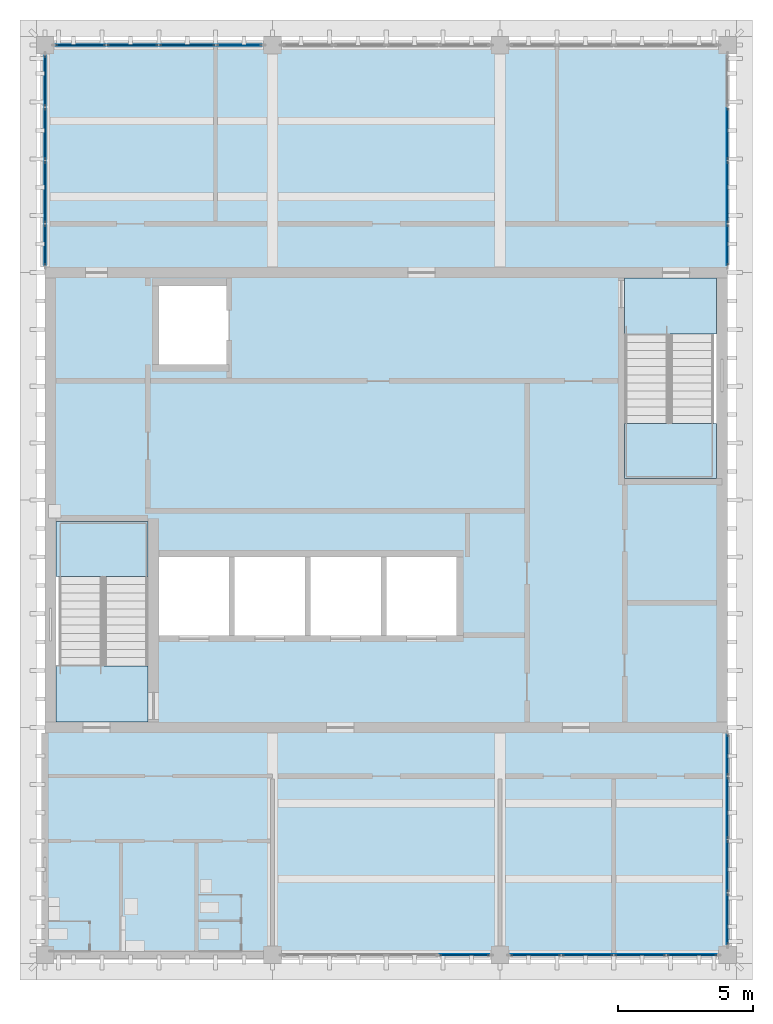
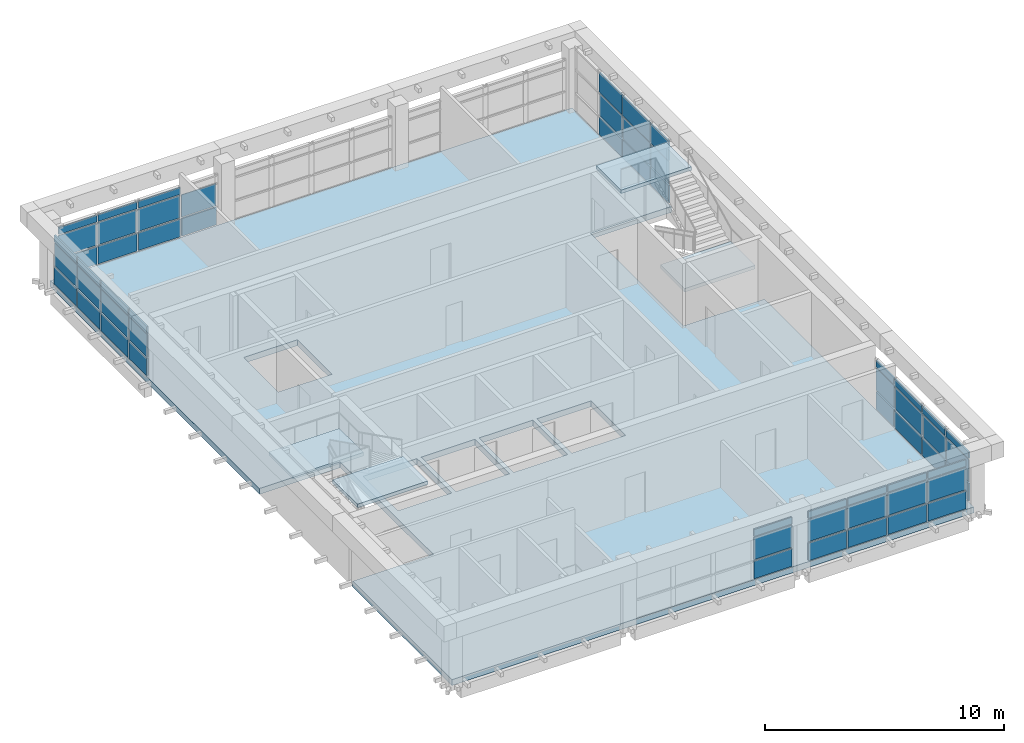
# One storey, part 4 of 10: 59 plates, 5 slabs, 8 elements without a shape of their own.
"""IFC4 building model written with IfcOpenShell, lengths in metres."""

from ifc_helpers import new_model, si_unit, direction, frame, origin, origin_2d, place, context, subcontext, project, spatial, polyline, rectangle, outline, extrude, material, layer, layer_set, type_object, element, aggregate, save


model = new_model("IFC4")

# Units and contexts
model_context = context("Model", 3, precision=1e-05, world=origin(), true_north=direction((0.0, 1.0)))
body_context = subcontext(model_context, "Body", "Model", "MODEL_VIEW")
ifc_project = project(units=[si_unit("LENGTHUNIT", "METRE"), si_unit("AREAUNIT", "SQUARE_METRE"), si_unit("VOLUMEUNIT", "CUBIC_METRE"), si_unit("PLANEANGLEUNIT", "RADIAN"), si_unit("MASSUNIT", "GRAM", prefix="KILO")], contexts=[model_context])

# Site, building, storey
site_placement = place(None, origin())
site = spatial("IfcSite", under=ifc_project, at=site_placement, CompositionType="ELEMENT")
building_placement = place(site_placement, origin())
building = spatial("IfcBuilding", under=site, at=building_placement, Name="Rulbaag Community and Learning Centre", CompositionType="ELEMENT")
storey_placement = place(building_placement, frame((0.0, 0.0, 61.199951171875)))
storey = spatial("IfcBuildingStorey", under=building, at=storey_placement, Name="L16", CompositionType="ELEMENT", Elevation=61.199951171875)

# Curtain wall, plates
ifc_material_1 = material(Name="Aluminium", Category="aluminium")
ifc_layer_1 = layer(ifc_material_1, 0.14990234375)
ifc_layer_set_1 = layer_set([ifc_layer_1], Name="CW-C")
curtain_wall_type = type_object("IfcCurtainWallType", Name="CW-C", PredefinedType="USERDEFINED", material=ifc_layer_set_1)
curtain_wall_1_placement = place(storey_placement, origin())
curtain_wall_1 = element("IfcCurtainWall", 1, at=curtain_wall_1_placement, inside=storey, type_object=curtain_wall_type, Name="GC-L16-01", ObjectType="UNITISED CURTAIN WALL", PredefinedType="USERDEFINED")
ifc_layer_2 = layer(ifc_material_1, 0.070068359375)
ifc_layer_set_2 = layer_set([ifc_layer_2], Name="CW-C-SPN")
plate_type_1 = type_object("IfcPlateType", Name="CW-C-SPN", PredefinedType="CURTAIN_PANEL", material=ifc_layer_set_2)
plate_1_placement = place(storey_placement, frame((158.288818359375, 84.0, 0.070068359375), z_axis=(0.0, 0.0, 1.0), x_axis=(1.0, 0.0, 0.0)))
plate_1 = element("IfcPlate", 2, at=plate_1_placement, type_object=plate_type_1, Name="GC spandrel panel", PredefinedType="CURTAIN_PANEL", context=body_context, shape_type="SweptSolid", body=[
    extrude(rectangle(XDim=1.83251953125, YDim=0.070068359375, at=origin_2d()), origin(), (0.0, 0.0, 1.0), 0.89501953125),
])
plate_2_placement = place(storey_placement, frame((158.288818359375, 84.0, 2.23486328125), z_axis=(0.0, 0.0, 1.0), x_axis=(1.0, 0.0, 0.0)))
plate_2 = element("IfcPlate", 3, at=plate_2_placement, type_object=plate_type_1, Name="GC spandrel panel", PredefinedType="CURTAIN_PANEL", context=body_context, shape_type="SweptSolid", body=[
    extrude(rectangle(XDim=1.83251953125, YDim=0.070068359375, at=origin_2d()), origin(), (0.0, 0.0, 1.0), 0.344970703125),
])

curtain_wall_2_placement = place(storey_placement, origin())
curtain_wall_2 = element("IfcCurtainWall", 4, at=curtain_wall_2_placement, inside=storey, type_object=curtain_wall_type, Name="GC-L16-02", ObjectType="UNITISED CURTAIN WALL", PredefinedType="USERDEFINED")
plate_3_placement = place(storey_placement, frame((160.9111328125, 84.0, 0.070068359375), z_axis=(0.0, 0.0, 1.0), x_axis=(1.0, 0.0, 0.0)))
plate_3 = element("IfcPlate", 5, at=plate_3_placement, type_object=plate_type_1, Name="GC spandrel panel", PredefinedType="CURTAIN_PANEL", context=body_context, shape_type="SweptSolid", body=[
    extrude(rectangle(XDim=1.83251953125, YDim=0.070068359375, at=origin_2d()), origin(), (0.0, 0.0, 1.0), 0.89501953125),
])
plate_4_placement = place(storey_placement, frame((160.9111328125, 84.0, 2.23486328125), z_axis=(0.0, 0.0, 1.0), x_axis=(1.0, 0.0, 0.0)))
plate_4 = element("IfcPlate", 6, at=plate_4_placement, type_object=plate_type_1, Name="GC spandrel panel", PredefinedType="CURTAIN_PANEL", context=body_context, shape_type="SweptSolid", body=[
    extrude(rectangle(XDim=1.83251953125, YDim=0.070068359375, at=origin_2d()), origin(), (0.0, 0.0, 1.0), 0.344970703125),
])
plate_5_placement = place(storey_placement, frame((162.831298828125, 84.0, 0.070068359375), z_axis=(0.0, 0.0, 1.0), x_axis=(1.0, 0.0, 0.0)))
plate_5 = element("IfcPlate", 7, at=plate_5_placement, type_object=plate_type_1, Name="GC spandrel panel", PredefinedType="CURTAIN_PANEL", context=body_context, shape_type="SweptSolid", body=[
    extrude(rectangle(XDim=1.867431640625, YDim=0.070068359375, at=origin_2d()), origin(), (0.0, 0.0, 1.0), 0.89501953125),
])
plate_6_placement = place(storey_placement, frame((162.831298828125, 84.0, 2.23486328125), z_axis=(0.0, 0.0, 1.0), x_axis=(1.0, 0.0, 0.0)))
plate_6 = element("IfcPlate", 8, at=plate_6_placement, type_object=plate_type_1, Name="GC spandrel panel", PredefinedType="CURTAIN_PANEL", context=body_context, shape_type="SweptSolid", body=[
    extrude(rectangle(XDim=1.867431640625, YDim=0.070068359375, at=origin_2d()), origin(), (0.0, 0.0, 1.0), 0.344970703125),
])
plate_7_placement = place(storey_placement, frame((164.768798828125, 84.0, 0.070068359375), z_axis=(0.0, 0.0, 1.0), x_axis=(1.0, 0.0, 0.0)))
plate_7 = element("IfcPlate", 9, at=plate_7_placement, type_object=plate_type_1, Name="GC spandrel panel", PredefinedType="CURTAIN_PANEL", context=body_context, shape_type="SweptSolid", body=[
    extrude(rectangle(XDim=1.867431640625, YDim=0.070068359375, at=origin_2d()), origin(), (0.0, 0.0, 1.0), 0.89501953125),
])
plate_8_placement = place(storey_placement, frame((164.768798828125, 84.0, 2.23486328125), z_axis=(0.0, 0.0, 1.0), x_axis=(1.0, 0.0, 0.0)))
plate_8 = element("IfcPlate", 10, at=plate_8_placement, type_object=plate_type_1, Name="GC spandrel panel", PredefinedType="CURTAIN_PANEL", context=body_context, shape_type="SweptSolid", body=[
    extrude(rectangle(XDim=1.867431640625, YDim=0.070068359375, at=origin_2d()), origin(), (0.0, 0.0, 1.0), 0.344970703125),
])
plate_9_placement = place(storey_placement, frame((166.688720703125, 84.0, 0.070068359375), z_axis=(0.0, 0.0, 1.0), x_axis=(1.0, 0.0, 0.0)))
plate_9 = element("IfcPlate", 11, at=plate_9_placement, type_object=plate_type_1, Name="GC spandrel panel", PredefinedType="CURTAIN_PANEL", context=body_context, shape_type="SweptSolid", body=[
    extrude(rectangle(XDim=1.83251953125, YDim=0.070068359375, at=origin_2d()), origin(), (0.0, 0.0, 1.0), 0.89501953125),
])
plate_10_placement = place(storey_placement, frame((166.688720703125, 84.0, 2.23486328125), z_axis=(0.0, 0.0, 1.0), x_axis=(1.0, 0.0, 0.0)))
plate_10 = element("IfcPlate", 12, at=plate_10_placement, type_object=plate_type_1, Name="GC spandrel panel", PredefinedType="CURTAIN_PANEL", context=body_context, shape_type="SweptSolid", body=[
    extrude(rectangle(XDim=1.83251953125, YDim=0.070068359375, at=origin_2d()), origin(), (0.0, 0.0, 1.0), 0.344970703125),
])

curtain_wall_3_placement = place(storey_placement, origin())
curtain_wall_3 = element("IfcCurtainWall", 13, at=curtain_wall_3_placement, inside=storey, type_object=curtain_wall_type, Name="GC-L16-03", ObjectType="UNITISED CURTAIN WALL", PredefinedType="USERDEFINED")
plate_11_placement = place(storey_placement, frame((144.111328125, 117.60009765625, 0.070068359375), z_axis=(0.0, 0.0, 1.0), x_axis=(1.0, 0.0, 0.0)))
plate_11 = element("IfcPlate", 14, at=plate_11_placement, type_object=plate_type_1, Name="GC spandrel panel", PredefinedType="CURTAIN_PANEL", context=body_context, shape_type="SweptSolid", body=[
    extrude(rectangle(XDim=1.83251953125, YDim=0.070068359375, at=origin_2d()), origin(), (0.0, 0.0, 1.0), 0.89501953125),
])
plate_12_placement = place(storey_placement, frame((144.111328125, 117.60009765625, 2.23486328125), z_axis=(0.0, 0.0, 1.0), x_axis=(1.0, 0.0, 0.0)))
plate_12 = element("IfcPlate", 15, at=plate_12_placement, type_object=plate_type_1, Name="GC spandrel panel", PredefinedType="CURTAIN_PANEL", context=body_context, shape_type="SweptSolid", body=[
    extrude(rectangle(XDim=1.83251953125, YDim=0.070068359375, at=origin_2d()), origin(), (0.0, 0.0, 1.0), 0.344970703125),
])
plate_13_placement = place(storey_placement, frame((146.03125, 117.60009765625, 0.070068359375), z_axis=(0.0, 0.0, 1.0), x_axis=(1.0, 0.0, 0.0)))
plate_13 = element("IfcPlate", 16, at=plate_13_placement, type_object=plate_type_1, Name="GC spandrel panel", PredefinedType="CURTAIN_PANEL", context=body_context, shape_type="SweptSolid", body=[
    extrude(rectangle(XDim=1.867431640625, YDim=0.070068359375, at=origin_2d()), origin(), (0.0, 0.0, 1.0), 0.89501953125),
])
plate_14_placement = place(storey_placement, frame((146.03125, 117.60009765625, 2.23486328125), z_axis=(0.0, 0.0, 1.0), x_axis=(1.0, 0.0, 0.0)))
plate_14 = element("IfcPlate", 17, at=plate_14_placement, type_object=plate_type_1, Name="GC spandrel panel", PredefinedType="CURTAIN_PANEL", context=body_context, shape_type="SweptSolid", body=[
    extrude(rectangle(XDim=1.867431640625, YDim=0.070068359375, at=origin_2d()), origin(), (0.0, 0.0, 1.0), 0.344970703125),
])
plate_15_placement = place(storey_placement, frame((148.050048828125, 117.60009765625, 0.070068359375), z_axis=(0.0, 0.0, 1.0), x_axis=(1.0, 0.0, 0.0)))
plate_15 = element("IfcPlate", 18, at=plate_15_placement, type_object=plate_type_1, Name="GC spandrel panel", PredefinedType="CURTAIN_PANEL", context=body_context, shape_type="SweptSolid", body=[
    extrude(rectangle(XDim=2.030029296875, YDim=0.070068359375, at=origin_2d()), origin(), (0.0, 0.0, 1.0), 0.89501953125),
])
plate_16_placement = place(storey_placement, frame((148.050048828125, 117.60009765625, 2.23486328125), z_axis=(0.0, 0.0, 1.0), x_axis=(1.0, 0.0, 0.0)))
plate_16 = element("IfcPlate", 19, at=plate_16_placement, type_object=plate_type_1, Name="GC spandrel panel", PredefinedType="CURTAIN_PANEL", context=body_context, shape_type="SweptSolid", body=[
    extrude(rectangle(XDim=2.030029296875, YDim=0.070068359375, at=origin_2d()), origin(), (0.0, 0.0, 1.0), 0.344970703125),
])
plate_17_placement = place(storey_placement, frame((149.969970703125, 117.60009765625, 0.070068359375), z_axis=(0.0, 0.0, 1.0), x_axis=(1.0, 0.0, 0.0)))
plate_17 = element("IfcPlate", 20, at=plate_17_placement, type_object=plate_type_1, Name="GC spandrel panel", PredefinedType="CURTAIN_PANEL", context=body_context, shape_type="SweptSolid", body=[
    extrude(rectangle(XDim=1.669921875, YDim=0.070068359375, at=origin_2d()), origin(), (0.0, 0.0, 1.0), 0.89501953125),
])

curtain_wall_4_placement = place(storey_placement, origin())
curtain_wall_4 = element("IfcCurtainWall", 21, at=curtain_wall_4_placement, inside=storey, type_object=curtain_wall_type, Name="GC-L16-06", ObjectType="UNITISED CURTAIN WALL", PredefinedType="USERDEFINED")
plate_18_placement = place(storey_placement, frame((142.800048828125, 110.217529296875, 0.070068359375), z_axis=(0.0, 0.0, 1.0), x_axis=(0.0, 1.0, 0.0)))
plate_18 = element("IfcPlate", 22, at=plate_18_placement, type_object=plate_type_1, Name="GC spandrel panel", PredefinedType="CURTAIN_PANEL", context=body_context, shape_type="SweptSolid", body=[
    extrude(rectangle(XDim=1.4951171875, YDim=0.070068359375, at=origin_2d()), origin(), (0.0, 0.0, 1.0), 0.89501953125),
])
plate_19_placement = place(storey_placement, frame((142.800048828125, 110.217529296875, 2.23486328125), z_axis=(0.0, 0.0, 1.0), x_axis=(0.0, 1.0, 0.0)))
plate_19 = element("IfcPlate", 23, at=plate_19_placement, type_object=plate_type_1, Name="GC spandrel panel", PredefinedType="CURTAIN_PANEL", context=body_context, shape_type="SweptSolid", body=[
    extrude(rectangle(XDim=1.4951171875, YDim=0.070068359375, at=origin_2d()), origin(), (0.0, 0.0, 1.0), 0.344970703125),
])
plate_20_placement = place(storey_placement, frame((142.800048828125, 112.168701171875, 0.070068359375), z_axis=(0.0, 0.0, 1.0), x_axis=(0.0, 1.0, 0.0)))
plate_20 = element("IfcPlate", 24, at=plate_20_placement, type_object=plate_type_1, Name="GC spandrel panel", PredefinedType="CURTAIN_PANEL", context=body_context, shape_type="SweptSolid", body=[
    extrude(rectangle(XDim=2.267578125, YDim=0.070068359375, at=origin_2d()), origin(), (0.0, 0.0, 1.0), 0.89501953125),
])
plate_21_placement = place(storey_placement, frame((142.800048828125, 112.168701171875, 2.23486328125), z_axis=(0.0, 0.0, 1.0), x_axis=(0.0, 1.0, 0.0)))
plate_21 = element("IfcPlate", 25, at=plate_21_placement, type_object=plate_type_1, Name="GC spandrel panel", PredefinedType="CURTAIN_PANEL", context=body_context, shape_type="SweptSolid", body=[
    extrude(rectangle(XDim=2.267578125, YDim=0.070068359375, at=origin_2d()), origin(), (0.0, 0.0, 1.0), 0.344970703125),
])
plate_22_placement = place(storey_placement, frame((142.800048828125, 114.32177734375, 0.070068359375), z_axis=(0.0, 0.0, 1.0), x_axis=(0.0, 1.0, 0.0)))
plate_22 = element("IfcPlate", 26, at=plate_22_placement, type_object=plate_type_1, Name="GC spandrel panel", PredefinedType="CURTAIN_PANEL", context=body_context, shape_type="SweptSolid", body=[
    extrude(rectangle(XDim=1.898681640625, YDim=0.070068359375, at=origin_2d()), origin(), (0.0, 0.0, 1.0), 0.89501953125),
])
plate_23_placement = place(storey_placement, frame((142.800048828125, 114.32177734375, 2.23486328125), z_axis=(0.0, 0.0, 1.0), x_axis=(0.0, 1.0, 0.0)))
plate_23 = element("IfcPlate", 27, at=plate_23_placement, type_object=plate_type_1, Name="GC spandrel panel", PredefinedType="CURTAIN_PANEL", context=body_context, shape_type="SweptSolid", body=[
    extrude(rectangle(XDim=1.898681640625, YDim=0.070068359375, at=origin_2d()), origin(), (0.0, 0.0, 1.0), 0.344970703125),
])
plate_24_placement = place(storey_placement, frame((142.800048828125, 116.273193359375, 0.070068359375), z_axis=(0.0, 0.0, 1.0), x_axis=(0.0, 1.0, 0.0)))
plate_24 = element("IfcPlate", 28, at=plate_24_placement, type_object=plate_type_1, Name="GC spandrel panel", PredefinedType="CURTAIN_PANEL", context=body_context, shape_type="SweptSolid", body=[
    extrude(rectangle(XDim=1.86376953125, YDim=0.070068359375, at=origin_2d()), origin(), (0.0, 0.0, 1.0), 0.89501953125),
])
plate_25_placement = place(storey_placement, frame((142.800048828125, 116.273193359375, 2.23486328125), z_axis=(0.0, 0.0, 1.0), x_axis=(0.0, 1.0, 0.0)))
plate_25 = element("IfcPlate", 29, at=plate_25_placement, type_object=plate_type_1, Name="GC spandrel panel", PredefinedType="CURTAIN_PANEL", context=body_context, shape_type="SweptSolid", body=[
    extrude(rectangle(XDim=1.86376953125, YDim=0.070068359375, at=origin_2d()), origin(), (0.0, 0.0, 1.0), 0.344970703125),
])

curtain_wall_5_placement = place(storey_placement, origin())
curtain_wall_5 = element("IfcCurtainWall", 30, at=curtain_wall_5_placement, inside=storey, type_object=curtain_wall_type, Name="GC-L16-07", ObjectType="UNITISED CURTAIN WALL", PredefinedType="USERDEFINED")
plate_26_placement = place(storey_placement, frame((168.0, 85.326904296875, 0.070068359375), z_axis=(0.0, 0.0, 1.0), x_axis=(0.0, 1.0, 0.0)))
plate_26 = element("IfcPlate", 31, at=plate_26_placement, type_object=plate_type_1, Name="GC spandrel panel", PredefinedType="CURTAIN_PANEL", context=body_context, shape_type="SweptSolid", body=[
    extrude(rectangle(XDim=1.86376953125, YDim=0.070068359375, at=origin_2d()), origin(), (0.0, 0.0, 1.0), 0.89501953125),
])
plate_27_placement = place(storey_placement, frame((168.0, 85.326904296875, 2.23486328125), z_axis=(0.0, 0.0, 1.0), x_axis=(0.0, 1.0, 0.0)))
plate_27 = element("IfcPlate", 32, at=plate_27_placement, type_object=plate_type_1, Name="GC spandrel panel", PredefinedType="CURTAIN_PANEL", context=body_context, shape_type="SweptSolid", body=[
    extrude(rectangle(XDim=1.86376953125, YDim=0.070068359375, at=origin_2d()), origin(), (0.0, 0.0, 1.0), 0.344970703125),
])
plate_28_placement = place(storey_placement, frame((168.0, 87.278076171875, 0.070068359375), z_axis=(0.0, 0.0, 1.0), x_axis=(0.0, 1.0, 0.0)))
plate_28 = element("IfcPlate", 33, at=plate_28_placement, type_object=plate_type_1, Name="GC spandrel panel", PredefinedType="CURTAIN_PANEL", context=body_context, shape_type="SweptSolid", body=[
    extrude(rectangle(XDim=1.898681640625, YDim=0.070068359375, at=origin_2d()), origin(), (0.0, 0.0, 1.0), 0.89501953125),
])
plate_29_placement = place(storey_placement, frame((168.0, 87.278076171875, 2.23486328125), z_axis=(0.0, 0.0, 1.0), x_axis=(0.0, 1.0, 0.0)))
plate_29 = element("IfcPlate", 34, at=plate_29_placement, type_object=plate_type_1, Name="GC spandrel panel", PredefinedType="CURTAIN_PANEL", context=body_context, shape_type="SweptSolid", body=[
    extrude(rectangle(XDim=1.898681640625, YDim=0.070068359375, at=origin_2d()), origin(), (0.0, 0.0, 1.0), 0.344970703125),
])
plate_30_placement = place(storey_placement, frame((168.0, 89.43115234375, 0.070068359375), z_axis=(0.0, 0.0, 1.0), x_axis=(0.0, 1.0, 0.0)))
plate_30 = element("IfcPlate", 35, at=plate_30_placement, type_object=plate_type_1, Name="GC spandrel panel", PredefinedType="CURTAIN_PANEL", context=body_context, shape_type="SweptSolid", body=[
    extrude(rectangle(XDim=2.267578125, YDim=0.070068359375, at=origin_2d()), origin(), (0.0, 0.0, 1.0), 0.89501953125),
])
plate_31_placement = place(storey_placement, frame((168.0, 89.43115234375, 2.23486328125), z_axis=(0.0, 0.0, 1.0), x_axis=(0.0, 1.0, 0.0)))
plate_31 = element("IfcPlate", 36, at=plate_31_placement, type_object=plate_type_1, Name="GC spandrel panel", PredefinedType="CURTAIN_PANEL", context=body_context, shape_type="SweptSolid", body=[
    extrude(rectangle(XDim=2.267578125, YDim=0.070068359375, at=origin_2d()), origin(), (0.0, 0.0, 1.0), 0.344970703125),
])
plate_32_placement = place(storey_placement, frame((168.0, 91.382568359375, 0.070068359375), z_axis=(0.0, 0.0, 1.0), x_axis=(0.0, 1.0, 0.0)))
plate_32 = element("IfcPlate", 37, at=plate_32_placement, type_object=plate_type_1, Name="GC spandrel panel", PredefinedType="CURTAIN_PANEL", context=body_context, shape_type="SweptSolid", body=[
    extrude(rectangle(XDim=1.4951171875, YDim=0.070068359375, at=origin_2d()), origin(), (0.0, 0.0, 1.0), 0.89501953125),
])
plate_33_placement = place(storey_placement, frame((168.0, 91.382568359375, 2.23486328125), z_axis=(0.0, 0.0, 1.0), x_axis=(0.0, 1.0, 0.0)))
plate_33 = element("IfcPlate", 38, at=plate_33_placement, type_object=plate_type_1, Name="GC spandrel panel", PredefinedType="CURTAIN_PANEL", context=body_context, shape_type="SweptSolid", body=[
    extrude(rectangle(XDim=1.4951171875, YDim=0.070068359375, at=origin_2d()), origin(), (0.0, 0.0, 1.0), 0.344970703125),
])

curtain_wall_6_placement = place(storey_placement, origin())
curtain_wall_6 = element("IfcCurtainWall", 39, at=curtain_wall_6_placement, inside=storey, type_object=curtain_wall_type, Name="GC-L16-08", ObjectType="UNITISED CURTAIN WALL", PredefinedType="USERDEFINED")
plate_34_placement = place(storey_placement, frame((168.0, 110.217529296875, 0.070068359375), z_axis=(0.0, 0.0, 1.0), x_axis=(0.0, 1.0, 0.0)))
plate_34 = element("IfcPlate", 40, at=plate_34_placement, type_object=plate_type_1, Name="GC spandrel panel", PredefinedType="CURTAIN_PANEL", context=body_context, shape_type="SweptSolid", body=[
    extrude(rectangle(XDim=1.4951171875, YDim=0.070068359375, at=origin_2d()), origin(), (0.0, 0.0, 1.0), 0.89501953125),
])
plate_35_placement = place(storey_placement, frame((168.0, 110.217529296875, 2.235107421875), z_axis=(0.0, 0.0, 1.0), x_axis=(0.0, 1.0, 0.0)))
plate_35 = element("IfcPlate", 41, at=plate_35_placement, type_object=plate_type_1, Name="GC spandrel panel", PredefinedType="CURTAIN_PANEL", context=body_context, shape_type="SweptSolid", body=[
    extrude(rectangle(XDim=1.4951171875, YDim=0.070068359375, at=origin_2d()), origin(), (0.0, 0.0, 1.0), 0.9951171875),
])
plate_36_placement = place(storey_placement, frame((168.0, 112.168701171875, 0.070068359375), z_axis=(0.0, 0.0, 1.0), x_axis=(0.0, 1.0, 0.0)))
plate_36 = element("IfcPlate", 42, at=plate_36_placement, type_object=plate_type_1, Name="GC spandrel panel", PredefinedType="CURTAIN_PANEL", context=body_context, shape_type="SweptSolid", body=[
    extrude(rectangle(XDim=2.267578125, YDim=0.070068359375, at=origin_2d()), origin(), (0.0, 0.0, 1.0), 0.89501953125),
])
plate_37_placement = place(storey_placement, frame((168.0, 112.168701171875, 2.235107421875), z_axis=(0.0, 0.0, 1.0), x_axis=(0.0, 1.0, 0.0)))
plate_37 = element("IfcPlate", 43, at=plate_37_placement, type_object=plate_type_1, Name="GC spandrel panel", PredefinedType="CURTAIN_PANEL", context=body_context, shape_type="SweptSolid", body=[
    extrude(rectangle(XDim=2.267578125, YDim=0.070068359375, at=origin_2d()), origin(), (0.0, 0.0, 1.0), 0.9951171875),
])
plate_38_placement = place(storey_placement, frame((168.0, 114.32177734375, 0.070068359375), z_axis=(0.0, 0.0, 1.0), x_axis=(0.0, 1.0, 0.0)))
plate_38 = element("IfcPlate", 44, at=plate_38_placement, type_object=plate_type_1, Name="GC spandrel panel", PredefinedType="CURTAIN_PANEL", context=body_context, shape_type="SweptSolid", body=[
    extrude(rectangle(XDim=1.898681640625, YDim=0.070068359375, at=origin_2d()), origin(), (0.0, 0.0, 1.0), 0.89501953125),
])
plate_39_placement = place(storey_placement, frame((168.0, 114.32177734375, 2.235107421875), z_axis=(0.0, 0.0, 1.0), x_axis=(0.0, 1.0, 0.0)))
plate_39 = element("IfcPlate", 45, at=plate_39_placement, type_object=plate_type_1, Name="GC spandrel panel", PredefinedType="CURTAIN_PANEL", context=body_context, shape_type="SweptSolid", body=[
    extrude(rectangle(XDim=1.898681640625, YDim=0.070068359375, at=origin_2d()), origin(), (0.0, 0.0, 1.0), 0.9951171875),
])

# Plate
ifc_material_2 = material(Name="Glass", Category="glass")
ifc_layer_3 = layer(ifc_material_2, 0.035888671875)
ifc_layer_set_3 = layer_set([ifc_layer_3], Name="CW-C-VIS")
plate_type_2 = type_object("IfcPlateType", Name="CW-C-VIS", PredefinedType="CURTAIN_PANEL", material=ifc_layer_set_3)
plate_40_placement = place(storey_placement, frame((158.288818359375, 84.0, 1.03515625), z_axis=(0.0, 0.0, 1.0), x_axis=(1.0, 0.0, 0.0)))
plate_40 = element("IfcPlate", 46, at=plate_40_placement, type_object=plate_type_2, Name="GC vision panel", PredefinedType="CURTAIN_PANEL", context=body_context, shape_type="SweptSolid", body=[
    extrude(rectangle(XDim=1.83251953125, YDim=0.035888671875, at=origin_2d()), origin(), (0.0, 0.0, 1.0), 1.1298828125),
])

aggregate(curtain_wall_1, [plate_1, plate_40, plate_2])

plate_41_placement = place(storey_placement, frame((160.9111328125, 84.0, 1.03515625), z_axis=(0.0, 0.0, 1.0), x_axis=(1.0, 0.0, 0.0)))
plate_41 = element("IfcPlate", 47, at=plate_41_placement, type_object=plate_type_2, Name="GC vision panel", PredefinedType="CURTAIN_PANEL", context=body_context, shape_type="SweptSolid", body=[
    extrude(rectangle(XDim=1.83251953125, YDim=0.035888671875, at=origin_2d()), origin(), (0.0, 0.0, 1.0), 1.1298828125),
])

plate_42_placement = place(storey_placement, frame((162.831298828125, 84.0, 1.03515625), z_axis=(0.0, 0.0, 1.0), x_axis=(1.0, 0.0, 0.0)))
plate_42 = element("IfcPlate", 48, at=plate_42_placement, type_object=plate_type_2, Name="GC vision panel", PredefinedType="CURTAIN_PANEL", context=body_context, shape_type="SweptSolid", body=[
    extrude(rectangle(XDim=1.867431640625, YDim=0.035888671875, at=origin_2d()), origin(), (0.0, 0.0, 1.0), 1.1298828125),
])

plate_43_placement = place(storey_placement, frame((164.768798828125, 84.0, 1.03515625), z_axis=(0.0, 0.0, 1.0), x_axis=(1.0, 0.0, 0.0)))
plate_43 = element("IfcPlate", 49, at=plate_43_placement, type_object=plate_type_2, Name="GC vision panel", PredefinedType="CURTAIN_PANEL", context=body_context, shape_type="SweptSolid", body=[
    extrude(rectangle(XDim=1.867431640625, YDim=0.035888671875, at=origin_2d()), origin(), (0.0, 0.0, 1.0), 1.1298828125),
])

plate_44_placement = place(storey_placement, frame((166.688720703125, 84.0, 1.03515625), z_axis=(0.0, 0.0, 1.0), x_axis=(1.0, 0.0, 0.0)))
plate_44 = element("IfcPlate", 50, at=plate_44_placement, type_object=plate_type_2, Name="GC vision panel", PredefinedType="CURTAIN_PANEL", context=body_context, shape_type="SweptSolid", body=[
    extrude(rectangle(XDim=1.83251953125, YDim=0.035888671875, at=origin_2d()), origin(), (0.0, 0.0, 1.0), 1.1298828125),
])

aggregate(curtain_wall_2, [plate_3, plate_41, plate_4, plate_5, plate_42, plate_6, plate_7, plate_43, plate_8, plate_9, plate_44, plate_10])

plate_45_placement = place(storey_placement, frame((144.111328125, 117.60009765625, 1.03515625), z_axis=(0.0, 0.0, 1.0), x_axis=(1.0, 0.0, 0.0)))
plate_45 = element("IfcPlate", 51, at=plate_45_placement, type_object=plate_type_2, Name="GC vision panel", PredefinedType="CURTAIN_PANEL", context=body_context, shape_type="SweptSolid", body=[
    extrude(rectangle(XDim=1.83251953125, YDim=0.035888671875, at=origin_2d()), origin(), (0.0, 0.0, 1.0), 1.1298828125),
])

plate_46_placement = place(storey_placement, frame((146.03125, 117.60009765625, 1.03515625), z_axis=(0.0, 0.0, 1.0), x_axis=(1.0, 0.0, 0.0)))
plate_46 = element("IfcPlate", 52, at=plate_46_placement, type_object=plate_type_2, Name="GC vision panel", PredefinedType="CURTAIN_PANEL", context=body_context, shape_type="SweptSolid", body=[
    extrude(rectangle(XDim=1.867431640625, YDim=0.035888671875, at=origin_2d()), origin(), (0.0, 0.0, 1.0), 1.1298828125),
])

plate_47_placement = place(storey_placement, frame((148.050048828125, 117.60009765625, 1.03515625), z_axis=(0.0, 0.0, 1.0), x_axis=(1.0, 0.0, 0.0)))
plate_47 = element("IfcPlate", 53, at=plate_47_placement, type_object=plate_type_2, Name="GC vision panel", PredefinedType="CURTAIN_PANEL", context=body_context, shape_type="SweptSolid", body=[
    extrude(rectangle(XDim=2.030029296875, YDim=0.035888671875, at=origin_2d()), origin(), (0.0, 0.0, 1.0), 1.1298828125),
])

plate_48_placement = place(storey_placement, frame((149.969970703125, 117.60009765625, 1.03515625), z_axis=(0.0, 0.0, 1.0), x_axis=(1.0, 0.0, 0.0)))
plate_48 = element("IfcPlate", 54, at=plate_48_placement, type_object=plate_type_2, Name="GC vision panel", PredefinedType="CURTAIN_PANEL", context=body_context, shape_type="SweptSolid", body=[
    extrude(rectangle(XDim=1.669921875, YDim=0.035888671875, at=origin_2d()), origin(), (0.0, 0.0, 1.0), 1.1298828125),
])

aggregate(curtain_wall_3, [plate_11, plate_45, plate_12, plate_13, plate_46, plate_14, plate_15, plate_47, plate_16, plate_17, plate_48])

plate_49_placement = place(storey_placement, frame((142.800048828125, 110.217529296875, 1.03515625), z_axis=(0.0, 0.0, 1.0), x_axis=(0.0, 1.0, 0.0)))
plate_49 = element("IfcPlate", 55, at=plate_49_placement, type_object=plate_type_2, Name="GC vision panel", PredefinedType="CURTAIN_PANEL", context=body_context, shape_type="SweptSolid", body=[
    extrude(rectangle(XDim=1.4951171875, YDim=0.035888671875, at=origin_2d()), origin(), (0.0, 0.0, 1.0), 1.1298828125),
])

plate_50_placement = place(storey_placement, frame((142.800048828125, 112.168701171875, 1.03515625), z_axis=(0.0, 0.0, 1.0), x_axis=(0.0, 1.0, 0.0)))
plate_50 = element("IfcPlate", 56, at=plate_50_placement, type_object=plate_type_2, Name="GC vision panel", PredefinedType="CURTAIN_PANEL", context=body_context, shape_type="SweptSolid", body=[
    extrude(rectangle(XDim=2.267578125, YDim=0.035888671875, at=origin_2d()), origin(), (0.0, 0.0, 1.0), 1.1298828125),
])

plate_51_placement = place(storey_placement, frame((142.800048828125, 114.32177734375, 1.03515625), z_axis=(0.0, 0.0, 1.0), x_axis=(0.0, 1.0, 0.0)))
plate_51 = element("IfcPlate", 57, at=plate_51_placement, type_object=plate_type_2, Name="GC vision panel", PredefinedType="CURTAIN_PANEL", context=body_context, shape_type="SweptSolid", body=[
    extrude(rectangle(XDim=1.898681640625, YDim=0.035888671875, at=origin_2d()), origin(), (0.0, 0.0, 1.0), 1.1298828125),
])

plate_52_placement = place(storey_placement, frame((142.800048828125, 116.273193359375, 1.03515625), z_axis=(0.0, 0.0, 1.0), x_axis=(0.0, 1.0, 0.0)))
plate_52 = element("IfcPlate", 58, at=plate_52_placement, type_object=plate_type_2, Name="GC vision panel", PredefinedType="CURTAIN_PANEL", context=body_context, shape_type="SweptSolid", body=[
    extrude(rectangle(XDim=1.86376953125, YDim=0.035888671875, at=origin_2d()), origin(), (0.0, 0.0, 1.0), 1.1298828125),
])

aggregate(curtain_wall_4, [plate_18, plate_49, plate_19, plate_20, plate_50, plate_21, plate_22, plate_51, plate_23, plate_24, plate_52, plate_25])

plate_53_placement = place(storey_placement, frame((168.0, 85.326904296875, 1.03515625), z_axis=(0.0, 0.0, 1.0), x_axis=(0.0, 1.0, 0.0)))
plate_53 = element("IfcPlate", 59, at=plate_53_placement, type_object=plate_type_2, Name="GC vision panel", PredefinedType="CURTAIN_PANEL", context=body_context, shape_type="SweptSolid", body=[
    extrude(rectangle(XDim=1.86376953125, YDim=0.035888671875, at=origin_2d()), origin(), (0.0, 0.0, 1.0), 1.1298828125),
])

plate_54_placement = place(storey_placement, frame((168.0, 87.278076171875, 1.03515625), z_axis=(0.0, 0.0, 1.0), x_axis=(0.0, 1.0, 0.0)))
plate_54 = element("IfcPlate", 60, at=plate_54_placement, type_object=plate_type_2, Name="GC vision panel", PredefinedType="CURTAIN_PANEL", context=body_context, shape_type="SweptSolid", body=[
    extrude(rectangle(XDim=1.898681640625, YDim=0.035888671875, at=origin_2d()), origin(), (0.0, 0.0, 1.0), 1.1298828125),
])

plate_55_placement = place(storey_placement, frame((168.0, 89.43115234375, 1.03515625), z_axis=(0.0, 0.0, 1.0), x_axis=(0.0, 1.0, 0.0)))
plate_55 = element("IfcPlate", 61, at=plate_55_placement, type_object=plate_type_2, Name="GC vision panel", PredefinedType="CURTAIN_PANEL", context=body_context, shape_type="SweptSolid", body=[
    extrude(rectangle(XDim=2.267578125, YDim=0.035888671875, at=origin_2d()), origin(), (0.0, 0.0, 1.0), 1.1298828125),
])

plate_56_placement = place(storey_placement, frame((168.0, 91.382568359375, 1.03515625), z_axis=(0.0, 0.0, 1.0), x_axis=(0.0, 1.0, 0.0)))
plate_56 = element("IfcPlate", 62, at=plate_56_placement, type_object=plate_type_2, Name="GC vision panel", PredefinedType="CURTAIN_PANEL", context=body_context, shape_type="SweptSolid", body=[
    extrude(rectangle(XDim=1.4951171875, YDim=0.035888671875, at=origin_2d()), origin(), (0.0, 0.0, 1.0), 1.1298828125),
])

aggregate(curtain_wall_5, [plate_26, plate_53, plate_27, plate_28, plate_54, plate_29, plate_30, plate_55, plate_31, plate_32, plate_56, plate_33])

plate_57_placement = place(storey_placement, frame((168.0, 110.217529296875, 1.03515625), z_axis=(0.0, 0.0, 1.0), x_axis=(0.0, 1.0, 0.0)))
plate_57 = element("IfcPlate", 63, at=plate_57_placement, type_object=plate_type_2, Name="GC vision panel", PredefinedType="CURTAIN_PANEL", context=body_context, shape_type="SweptSolid", body=[
    extrude(rectangle(XDim=1.4951171875, YDim=0.035888671875, at=origin_2d()), origin(), (0.0, 0.0, 1.0), 1.1298828125),
])

plate_58_placement = place(storey_placement, frame((168.0, 112.168701171875, 1.03515625), z_axis=(0.0, 0.0, 1.0), x_axis=(0.0, 1.0, 0.0)))
plate_58 = element("IfcPlate", 64, at=plate_58_placement, type_object=plate_type_2, Name="GC vision panel", PredefinedType="CURTAIN_PANEL", context=body_context, shape_type="SweptSolid", body=[
    extrude(rectangle(XDim=2.267578125, YDim=0.035888671875, at=origin_2d()), origin(), (0.0, 0.0, 1.0), 1.1298828125),
])

plate_59_placement = place(storey_placement, frame((168.0, 114.32177734375, 1.03515625), z_axis=(0.0, 0.0, 1.0), x_axis=(0.0, 1.0, 0.0)))
plate_59 = element("IfcPlate", 65, at=plate_59_placement, type_object=plate_type_2, Name="GC vision panel", PredefinedType="CURTAIN_PANEL", context=body_context, shape_type="SweptSolid", body=[
    extrude(rectangle(XDim=1.898681640625, YDim=0.035888671875, at=origin_2d()), origin(), (0.0, 0.0, 1.0), 1.1298828125),
])

aggregate(curtain_wall_6, [plate_34, plate_57, plate_35, plate_36, plate_58, plate_37, plate_38, plate_59, plate_39])

# Stair, slabs
ifc_material_3 = material(Name="Concrete M40", Category="concrete")
stair_type = type_object("IfcStairType", Name="ST-1650 STAIR 1650 WIDE", PredefinedType="HALF_TURN_STAIR", material=ifc_material_3)
stair_1_placement = place(storey_placement, origin())
stair_1 = element("IfcStair", 66, at=stair_1_placement, inside=storey, type_object=stair_type, Name="Stair ST1 L16", PredefinedType="HALF_TURN_STAIR")
ifc_layer_4 = layer(ifc_material_3, 0.179931640625)
ifc_layer_set_4 = layer_set([ifc_layer_4], Name="LN-180 LANDING 180 Concrete M40")
slab_type_1 = type_object("IfcSlabType", Name="LN-180 LANDING 180 Concrete M40", PredefinedType="LANDING", material=ifc_layer_set_4)
slab_1_placement = place(storey_placement, frame((0.0, 0.0, 1.6201171875)))
slab_1 = element("IfcSlab", 67, at=slab_1_placement, type_object=slab_type_1, Name="ST1 landing 1", PredefinedType="LANDING", context=body_context, shape_type="SweptSolid", body=[
    extrude(outline(polyline([(143.199951171875, 97.97509765625), (143.199951171875, 100.0), (146.60009765625, 100.0), (146.60009765625, 97.97509765625), (143.199951171875, 97.97509765625)])), origin(), (0.0, 0.0, 1.0), 0.179931640625),
])
slab_2_placement = place(storey_placement, frame((0.0, 0.0, 3.420166015625)))
slab_2 = element("IfcSlab", 68, at=slab_2_placement, type_object=slab_type_1, Name="ST1 landing 2", PredefinedType="LANDING", context=body_context, shape_type="SweptSolid", body=[
    extrude(outline(polyline([(143.199951171875, 92.60009765625), (143.199951171875, 94.675048828125), (146.60009765625, 94.675048828125), (146.60009765625, 92.60009765625), (143.199951171875, 92.60009765625)])), origin(), (0.0, 0.0, 1.0), 0.179931640625),
])
aggregate(stair_1, [slab_1, slab_2])

stair_2_placement = place(storey_placement, origin())
stair_2 = element("IfcStair", 69, at=stair_2_placement, inside=storey, type_object=stair_type, Name="Stair ST2 L16", PredefinedType="HALF_TURN_STAIR")
slab_3_placement = place(storey_placement, frame((0.0, 0.0, 1.6201171875)))
slab_3 = element("IfcSlab", 70, at=slab_3_placement, type_object=slab_type_1, Name="ST2 landing 1", PredefinedType="LANDING", context=body_context, shape_type="SweptSolid", body=[
    extrude(outline(polyline([(164.199951171875, 101.60009765625), (164.199951171875, 103.625), (167.60009765625, 103.625), (167.60009765625, 101.60009765625), (164.199951171875, 101.60009765625)])), origin(), (0.0, 0.0, 1.0), 0.179931640625),
])
slab_4_placement = place(storey_placement, frame((0.0, 0.0, 3.420166015625)))
slab_4 = element("IfcSlab", 71, at=slab_4_placement, type_object=slab_type_1, Name="ST2 landing 2", PredefinedType="LANDING", context=body_context, shape_type="SweptSolid", body=[
    extrude(outline(polyline([(164.199951171875, 106.925048828125), (164.199951171875, 109.0), (167.60009765625, 109.0), (167.60009765625, 106.925048828125), (164.199951171875, 106.925048828125)])), origin(), (0.0, 0.0, 1.0), 0.179931640625),
])
aggregate(stair_2, [slab_3, slab_4])

# Slab
ifc_layer_5 = layer(ifc_material_3, 0.300048828125)
ifc_layer_set_5 = layer_set([ifc_layer_5], Name="S5 Floor slab 300 Concrete M40")
slab_type_2 = type_object("IfcSlabType", Name="S5 Floor slab 300 Concrete M40", PredefinedType="FLOOR", material=ifc_layer_set_5)
slab_5_placement = place(storey_placement, frame((0.0, 0.0, -0.300048828125)))
element("IfcSlab", 72, at=slab_5_placement, inside=storey, type_object=slab_type_2, Name="SL-L16-B01", PredefinedType="FLOOR", context=body_context, shape_type="SweptSolid", body=[
    extrude(outline(polyline([(168.0, 84.0), (142.800048828125, 84.0), (142.800048828125, 92.300048828125), (146.699951171875, 92.300048828125), (146.699951171875, 100.10009765625), (142.800048828125, 100.10009765625), (142.800048828125, 117.60009765625), (168.0, 117.60009765625), (168.0, 109.300048828125), (164.10009765625, 109.300048828125), (164.10009765625, 101.5), (168.0, 101.5), (168.0, 84.0)]), holes=[polyline([(147.0, 98.699951171875), (147.0, 95.800048828125), (149.60009765625, 95.800048828125), (149.60009765625, 98.699951171875), (147.0, 98.699951171875)]), polyline([(149.800048828125, 98.699951171875), (149.800048828125, 95.800048828125), (152.39990234375, 95.800048828125), (152.39990234375, 98.699951171875), (149.800048828125, 98.699951171875)]), polyline([(152.60009765625, 98.699951171875), (152.60009765625, 95.800048828125), (155.199951171875, 95.800048828125), (155.199951171875, 98.699951171875), (152.60009765625, 98.699951171875)]), polyline([(155.39990234375, 98.699951171875), (155.39990234375, 95.800048828125), (158.0, 95.800048828125), (158.0, 98.699951171875), (155.39990234375, 98.699951171875)]), polyline([(147.0, 108.699951171875), (147.0, 105.800048828125), (149.60009765625, 105.800048828125), (149.60009765625, 108.699951171875), (147.0, 108.699951171875)])]), origin(), (0.0, 0.0, 1.0), 0.300048828125),
])

save(model, "model.ifc")
